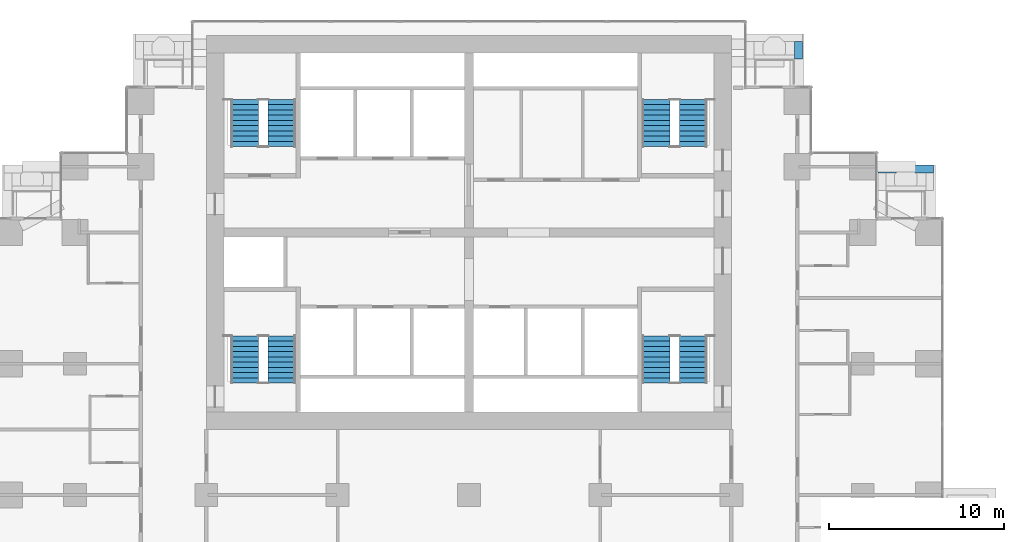
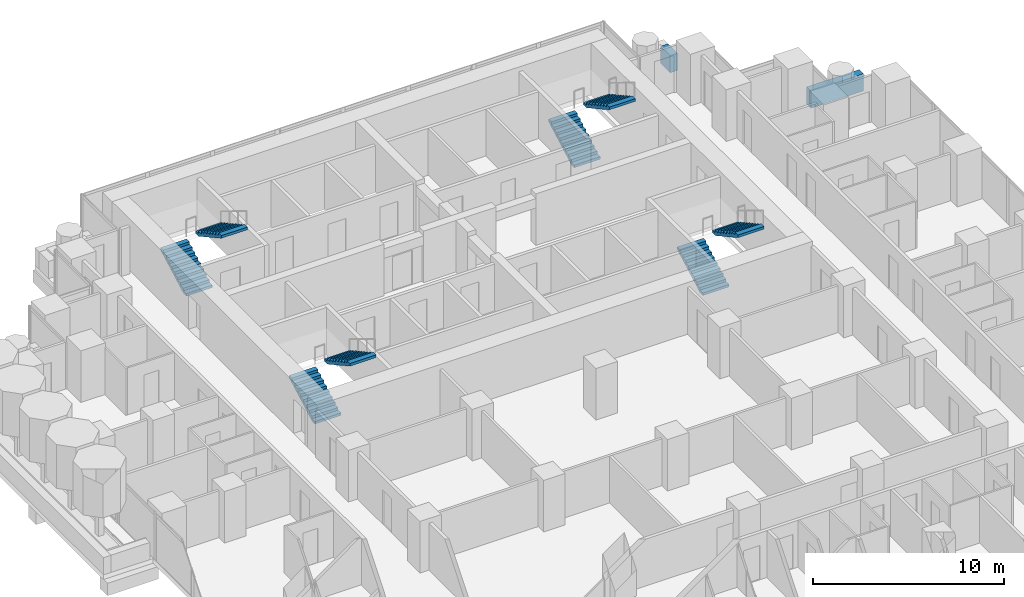
# One storey, part 16 of 19: 8 stair flights, 2 walls, 4 elements without a shape of their own.
"""IFC4 building model written with IfcOpenShell, lengths in metres."""

import ifcopenshell
import ifcopenshell.guid

model = None  # the IFC model being written
_history = None  # IfcOwnerHistory: only IFC2X3 demands one
_inside = {}  # id of a spatial element -> (the spatial element, [elements in it])
_under = {}  # id of a project, library or spatial element -> (it, [spatial elements below it])
_declared = {}  # id of a project -> (the project, [libraries it declares])
_typed = {}  # id of a type object -> (the type object, [elements of that type])
_made_of = {}  # id of a material, layer set ... -> (it, [elements and type objects made of it])


def new_model(schema):
    """Start an empty IFC model of exactly this schema.

    Asked for "IFC4X3", IfcOpenShell would pick the latest addendum, in which some entities
    have other attributes; the version numbers below select the first issue.
    IFC2X3 requires an IfcOwnerHistory on every rooted entity: one is made here for all.
    """
    global model, _history
    if schema == "IFC4X3":
        model = ifcopenshell.file(schema_version=(4, 3, 0, 0))
    else:
        model = ifcopenshell.file(schema=schema)
    _inside.clear()
    _under.clear()
    _declared.clear()
    _typed.clear()
    _made_of.clear()
    _history = None
    if model.schema == "IFC2X3":
        org = make("IfcOrganization", Name="unknown")
        user = make(
            "IfcPersonAndOrganization",
            ThePerson=make("IfcPerson", FamilyName="unknown"),
            TheOrganization=org,
        )
        app = make(
            "IfcApplication",
            ApplicationDeveloper=org,
            Version="unknown",
            ApplicationFullName="unknown",
            ApplicationIdentifier="unknown",
        )
        _history = make(
            "IfcOwnerHistory",
            OwningUser=user,
            OwningApplication=app,
            ChangeAction="ADDED",
            CreationDate=0,
        )
    return model


def make(cls, **values):
    """One entity of the class cls with the attributes given. An attribute that is None is left unset."""
    return model.create_entity(
        cls, **{name: value for name, value in values.items() if value is not None}
    )


def rooted(cls, **values):
    """An entity with a GlobalId (a new one), such as an element, a storey or a relation."""
    return make(cls, GlobalId=ifcopenshell.guid.new(), OwnerHistory=_history, **values)


def si_unit(unit_type, name, prefix=None):
    """IfcSIUnit, for example si_unit("LENGTHUNIT", "METRE", prefix="MILLI")."""
    return make("IfcSIUnit", UnitType=unit_type, Prefix=prefix, Name=name)


def assignment(units):
    """IfcUnitAssignment: the units of a project."""
    return None if units is None else make("IfcUnitAssignment", Units=units)


def point(xyz):
    """IfcCartesianPoint."""
    return None if xyz is None else make("IfcCartesianPoint", Coordinates=xyz)


def direction(xyz):
    """IfcDirection."""
    return None if xyz is None else make("IfcDirection", DirectionRatios=xyz)


def frame(location, z_axis=None, x_axis=None):
    """IfcAxis2Placement3D, a coordinate frame: its origin and axes. An axis left out is left unset."""
    return make(
        "IfcAxis2Placement3D",
        Location=point(location),
        Axis=direction(z_axis),
        RefDirection=direction(x_axis),
    )


def frame_2d(location, x_axis=None):
    """IfcAxis2Placement2D, a coordinate frame in the plane: its origin and x axis."""
    return make(
        "IfcAxis2Placement2D", Location=point(location), RefDirection=direction(x_axis)
    )


def origin():
    """The frame at (0, 0, 0) with its axes left unset."""
    return frame((0.0, 0.0, 0.0))


def place(relative_to, where):
    """IfcLocalPlacement: puts the frame where relative to a parent placement (None: the world)."""
    return make(
        "IfcLocalPlacement", PlacementRelTo=relative_to, RelativePlacement=where
    )


def context(
    kind, dimensions, precision=None, world=None, true_north=None, identifier=None
):
    """IfcGeometricRepresentationContext, for example the 3D "Model" context."""
    return make(
        "IfcGeometricRepresentationContext",
        ContextIdentifier=identifier,
        ContextType=kind,
        CoordinateSpaceDimension=dimensions,
        Precision=precision,
        WorldCoordinateSystem=world,
        TrueNorth=true_north,
    )


def subcontext(parent, identifier, kind, view, scale=None):
    """IfcGeometricRepresentationSubContext, for example "Body" below "Model"."""
    return make(
        "IfcGeometricRepresentationSubContext",
        ContextIdentifier=identifier,
        ContextType=kind,
        ParentContext=parent,
        TargetScale=scale,
        TargetView=view,
    )


def project(units=None, contexts=None):
    """IfcProject with its units and contexts."""
    return rooted(
        "IfcProject",
        Name="project",
        RepresentationContexts=contexts,
        UnitsInContext=assignment(units),
    )


def spatial(cls, under=None, at=None, **own):
    """A site, building, storey or space (cls), placed at a placement, below another one or the project."""
    s = rooted(cls, ObjectPlacement=at, **own)
    if under is not None:
        _under.setdefault(under.id(), (under, []))[1].append(s)
    return s


def polyline(points):
    """IfcPolyline through the points."""
    return make("IfcPolyline", Points=[point(p) for p in points])


def profile(cls, at=None, kind="AREA", **sizes):
    """A parametric profile (cls). Its sizes go by their IFC names, for example OverallWidth=200.0."""
    return make(cls, ProfileType=kind, Position=at, **sizes)


def rectangle(**sizes):
    """IfcRectangleProfileDef."""
    return profile("IfcRectangleProfileDef", **sizes)


def outline(outer, holes=None, kind="AREA"):
    """IfcArbitraryClosedProfileDef: a profile drawn as a closed curve; with holes, ...WithVoids."""
    if holes is None:
        return make("IfcArbitraryClosedProfileDef", ProfileType=kind, OuterCurve=outer)
    return make(
        "IfcArbitraryProfileDefWithVoids",
        ProfileType=kind,
        OuterCurve=outer,
        InnerCurves=holes,
    )


def extrude(swept, where, along, depth):
    """IfcExtrudedAreaSolid: the profile swept, set in the frame where, extruded along a direction by depth."""
    return make(
        "IfcExtrudedAreaSolid",
        SweptArea=swept,
        Position=where,
        ExtrudedDirection=direction(along),
        Depth=depth,
    )


def shape(context_of_items, identifier, shape_type, items):
    """IfcShapeRepresentation: the items that make up one representation, for example the "Body"."""
    return make(
        "IfcShapeRepresentation",
        ContextOfItems=context_of_items,
        RepresentationIdentifier=identifier,
        RepresentationType=shape_type,
        Items=items,
    )


def material(Name=None, Category=None):
    """IfcMaterial."""
    return make("IfcMaterial", Name=Name, Category=Category)


def layer(
    of_material, thickness, ventilated=None, Name=None, Category=None, Priority=None
):
    """IfcMaterialLayer: one layer of a wall or slab, of a material (None: an air gap)."""
    return make(
        "IfcMaterialLayer",
        Material=of_material,
        LayerThickness=thickness,
        IsVentilated=ventilated,
        Name=Name,
        Category=Category,
        Priority=Priority,
    )


def layer_set(layers, Name=None):
    """IfcMaterialLayerSet."""
    return make("IfcMaterialLayerSet", MaterialLayers=layers, LayerSetName=Name)


def made_of(thing, what):
    """Note that an element or type object is made of a material, layer set ...; save() writes the relation."""
    if what is not None:
        _made_of.setdefault(what.id(), (what, []))[1].append(thing)
    return thing


def type_object(cls, material=None, **own):
    """A type object (cls), such as IfcWallType, which elements share."""
    return made_of(rooted(cls, **own), material)


def element(
    cls,
    number,
    at=None,
    inside=None,
    cuts=None,
    type_object=None,
    material=None,
    context=None,
    identifier="Body",
    shape_type=None,
    held_by="IfcProductDefinitionShape",
    body=None,
    shapes=None,
    **own,
):
    """One element of the class cls, such as IfcWall. Its Tag is "e" and its number.

    at: its placement. inside: the storey or other place that contains it. cuts: it is an
    opening in that element (IfcRelVoidsElement). A single representation is given by context,
    identifier, shape_type and body (its items); several are given by shapes. held_by: the class
    of the entity that holds the representations. save() writes the other relations.
    """
    e = rooted(cls, Tag="e%d" % number, ObjectPlacement=at, **own)
    if body is not None:
        shapes = [shape(context, identifier, shape_type, body)]
    if shapes is not None:
        e.Representation = make(held_by, Representations=shapes)
    if inside is not None:
        _inside.setdefault(inside.id(), (inside, []))[1].append(e)
    if cuts is not None:
        rooted(
            "IfcRelVoidsElement", RelatingBuildingElement=cuts, RelatedOpeningElement=e
        )
    if type_object is not None:
        _typed.setdefault(type_object.id(), (type_object, []))[1].append(e)
    return made_of(e, material)


def aggregate(whole, parts):
    """IfcRelAggregates: a whole, such as a stair, and the parts it consists of."""
    return rooted("IfcRelAggregates", RelatingObject=whole, RelatedObjects=parts)


def save(model, path):
    """Write the relations noted so far, then the file.

    IfcRelAggregates (storeys below a building ...), IfcRelContainedInSpatialStructure (elements
    in a storey), IfcRelDefinesByType, IfcRelAssociatesMaterial and IfcRelDeclares: one each for
    every whole, place, type object, material and project.
    """
    for whole, parts in _under.values():
        aggregate(whole, parts)
    for where, things in _inside.values():
        rooted(
            "IfcRelContainedInSpatialStructure",
            RelatedElements=things,
            RelatingStructure=where,
        )
    for kind, things in _typed.values():
        rooted("IfcRelDefinesByType", RelatedObjects=things, RelatingType=kind)
    for what, things in _made_of.values():
        rooted("IfcRelAssociatesMaterial", RelatedObjects=things, RelatingMaterial=what)
    for by, libraries in _declared.values():
        rooted("IfcRelDeclares", RelatingContext=by, RelatedDefinitions=libraries)
    model.write(path)


model = new_model("IFC4")

# Units and contexts
model_context = context("Model", 3, precision=1e-05, world=origin(), true_north=direction((0.0, 1.0)))
body_context = subcontext(model_context, "Body", "Model", "MODEL_VIEW")
ifc_project = project(units=[si_unit("LENGTHUNIT", "METRE"), si_unit("AREAUNIT", "SQUARE_METRE"), si_unit("VOLUMEUNIT", "CUBIC_METRE"), si_unit("PLANEANGLEUNIT", "RADIAN"), si_unit("MASSUNIT", "GRAM", prefix="KILO")], contexts=[model_context])

# Site, building, storey
site_placement = place(None, origin())
site = spatial("IfcSite", under=ifc_project, at=site_placement, CompositionType="ELEMENT")
building_placement = place(site_placement, origin())
building = spatial("IfcBuilding", under=site, at=building_placement, Name="Pilkhan Gate Tower", CompositionType="ELEMENT")
storey_placement = place(building_placement, frame((0.0, 0.0, 69.199951171875)))
storey = spatial("IfcBuildingStorey", under=building, at=storey_placement, Name="L15", CompositionType="ELEMENT", Elevation=69.199951171875)

# Walls
ifc_material_1 = material(Name="Board-marked Concrete C40/50", Category="concrete")
ifc_layer = layer(ifc_material_1, 0.449951171875)
ifc_layer_set = layer_set([ifc_layer], Name="Balcony planter lip BL450")
wall_type = type_object("IfcWallType", Name="Balcony planter lip BL450", PredefinedType="USERDEFINED", material=ifc_layer_set)
wall_1_placement = place(storey_placement, frame((93.824951171875, 92.39990234375, 0.0), z_axis=(0.0, 0.0, 1.0), x_axis=(0.0, 1.0, 0.0)))
element("IfcWall", 1, at=wall_1_placement, inside=storey, type_object=wall_type, Name="Balcony planter L15 N", ObjectType="BALCONY PLANTER", PredefinedType="USERDEFINED", context=body_context, shape_type="SweptSolid", body=[
    extrude(rectangle(XDim=1.0, YDim=0.449951171875, at=frame_2d((0.5, 0.0))), origin(), (0.0, 0.0, 1.0), 1.10009765625),
])
wall_2_placement = place(storey_placement, frame((98.3701171875, 86.125, 0.0), z_axis=(0.0, 0.0, 1.0), x_axis=(1.0, 0.0, 0.0)))
element("IfcWall", 2, at=wall_2_placement, inside=storey, type_object=wall_type, Name="Balcony planter L15 N", ObjectType="BALCONY PLANTER", PredefinedType="USERDEFINED", context=body_context, shape_type="SweptSolid", body=[
    extrude(rectangle(XDim=3.179931640625, YDim=0.449951171875, at=frame_2d((1.58984375, 0.0))), origin(), (0.0, 0.0, 1.0), 1.10009765625),
])

# Stair, stair flights
ifc_material_2 = material(Name="Concrete C40/50 precast", Category="concrete")
stair_type_1 = type_object("IfcStairType", Name="Stair ST1 165x300", PredefinedType="HALF_TURN_STAIR", material=ifc_material_2)
stair_1_placement = place(storey_placement, origin())
stair_1 = element("IfcStair", 3, at=stair_1_placement, inside=storey, type_object=stair_type_1, Name="Stair ST1 L15", PredefinedType="HALF_TURN_STAIR")
stair_flight_type_1 = type_object("IfcStairFlightType", Name="Stair flight ST1 165x300x10", PredefinedType="STRAIGHT", material=ifc_material_2)
stair_flight_1_placement = place(storey_placement, frame((85.68994140625, 73.89990234375, 0.0), z_axis=(0.0, 0.0, 1.0), x_axis=(0.0, 1.0, 0.0)))
stair_flight_1 = element("IfcStairFlight", 4, at=stair_flight_1_placement, type_object=stair_flight_type_1, Name="ST1 flight 1", NumberOfRisers=10, NumberOfTreads=9, PredefinedType="STRAIGHT", RiserHeight=0.165, TreadLength=0.3, context=body_context, shape_type="SweptSolid", body=[
    extrude(outline(polyline([(0.0, 0.0), (0.0, 0.1650390625), (0.300048828125, 0.1650390625), (0.300048828125, 0.330078125), (0.60009765625, 0.330078125), (0.60009765625, 0.4951171875), (0.89990234375, 0.4951171875), (0.89990234375, 0.659912109375), (1.199951171875, 0.659912109375), (1.199951171875, 0.824951171875), (1.5, 0.824951171875), (1.5, 0.989990234375), (1.800048828125, 0.989990234375), (1.800048828125, 1.155029296875), (2.10009765625, 1.155029296875), (2.10009765625, 1.320068359375), (2.39990234375, 1.320068359375), (2.39990234375, 1.485107421875), (2.699951171875, 1.485107421875), (2.699951171875, 1.64990234375), (2.699951171875, 1.31396484375), (0.31103515625, 0.0), (0.0, 0.0)])), frame((0.0, 0.7900390625, 0.0), z_axis=(0.0, -1.0, 0.0), x_axis=(1.0, 0.0, 0.0)), (0.0, 0.0, 1.0), 1.580078125),
])
stair_flight_2_placement = place(storey_placement, frame((87.81005859375, 76.60009765625, 1.650146484375), z_axis=(0.0, 0.0, 1.0), x_axis=(0.0, -1.0, 0.0)))
stair_flight_2 = element("IfcStairFlight", 5, at=stair_flight_2_placement, type_object=stair_flight_type_1, Name="ST1 flight 2", NumberOfRisers=10, NumberOfTreads=9, PredefinedType="STRAIGHT", RiserHeight=0.165, TreadLength=0.3, context=body_context, shape_type="SweptSolid", body=[
    extrude(outline(polyline([(0.0, 0.0), (0.0, 0.1650390625), (0.300048828125, 0.1650390625), (0.300048828125, 0.330078125), (0.60009765625, 0.330078125), (0.60009765625, 0.4951171875), (0.89990234375, 0.4951171875), (0.89990234375, 0.659912109375), (1.199951171875, 0.659912109375), (1.199951171875, 0.824951171875), (1.5, 0.824951171875), (1.5, 0.989990234375), (1.800048828125, 0.989990234375), (1.800048828125, 1.155029296875), (2.10009765625, 1.155029296875), (2.10009765625, 1.320068359375), (2.39990234375, 1.320068359375), (2.39990234375, 1.485107421875), (2.699951171875, 1.485107421875), (2.699951171875, 1.64990234375), (2.699951171875, 1.31396484375), (0.31103515625, 0.0), (0.0, 0.0)])), frame((0.0, 0.7900390625, 0.0), z_axis=(0.0, -1.0, 0.0), x_axis=(1.0, 0.0, 0.0)), (0.0, 0.0, 1.0), 1.580078125),
])
aggregate(stair_1, [stair_flight_1, stair_flight_2])

stair_type_2 = type_object("IfcStairType", Name="Stair ST2 165x300", PredefinedType="HALF_TURN_STAIR", material=ifc_material_2)
stair_2_placement = place(storey_placement, origin())
stair_2 = element("IfcStair", 6, at=stair_2_placement, inside=storey, type_object=stair_type_2, Name="Stair ST2 L15", PredefinedType="HALF_TURN_STAIR")
stair_flight_type_2 = type_object("IfcStairFlightType", Name="Stair flight ST2 165x300x10", PredefinedType="STRAIGHT", material=ifc_material_2)
stair_flight_3_placement = place(storey_placement, frame((62.18994140625, 73.89990234375, 0.0), z_axis=(0.0, 0.0, 1.0), x_axis=(0.0, 1.0, 0.0)))
stair_flight_3 = element("IfcStairFlight", 7, at=stair_flight_3_placement, type_object=stair_flight_type_2, Name="ST2 flight 1", NumberOfRisers=10, NumberOfTreads=9, PredefinedType="STRAIGHT", RiserHeight=0.165, TreadLength=0.3, context=body_context, shape_type="SweptSolid", body=[
    extrude(outline(polyline([(0.0, 0.0), (0.0, 0.1650390625), (0.300048828125, 0.1650390625), (0.300048828125, 0.330078125), (0.60009765625, 0.330078125), (0.60009765625, 0.4951171875), (0.89990234375, 0.4951171875), (0.89990234375, 0.659912109375), (1.199951171875, 0.659912109375), (1.199951171875, 0.824951171875), (1.5, 0.824951171875), (1.5, 0.989990234375), (1.800048828125, 0.989990234375), (1.800048828125, 1.155029296875), (2.10009765625, 1.155029296875), (2.10009765625, 1.320068359375), (2.39990234375, 1.320068359375), (2.39990234375, 1.485107421875), (2.699951171875, 1.485107421875), (2.699951171875, 1.64990234375), (2.699951171875, 1.31396484375), (0.31103515625, 0.0), (0.0, 0.0)])), frame((0.0, 0.7900390625, 0.0), z_axis=(0.0, -1.0, 0.0), x_axis=(1.0, 0.0, 0.0)), (0.0, 0.0, 1.0), 1.580078125),
])
stair_flight_4_placement = place(storey_placement, frame((64.31005859375, 76.60009765625, 1.650146484375), z_axis=(0.0, 0.0, 1.0), x_axis=(0.0, -1.0, 0.0)))
stair_flight_4 = element("IfcStairFlight", 8, at=stair_flight_4_placement, type_object=stair_flight_type_2, Name="ST2 flight 2", NumberOfRisers=10, NumberOfTreads=9, PredefinedType="STRAIGHT", RiserHeight=0.165, TreadLength=0.3, context=body_context, shape_type="SweptSolid", body=[
    extrude(outline(polyline([(0.0, 0.0), (0.0, 0.1650390625), (0.300048828125, 0.1650390625), (0.300048828125, 0.330078125), (0.60009765625, 0.330078125), (0.60009765625, 0.4951171875), (0.89990234375, 0.4951171875), (0.89990234375, 0.659912109375), (1.199951171875, 0.659912109375), (1.199951171875, 0.824951171875), (1.5, 0.824951171875), (1.5, 0.989990234375), (1.800048828125, 0.989990234375), (1.800048828125, 1.155029296875), (2.10009765625, 1.155029296875), (2.10009765625, 1.320068359375), (2.39990234375, 1.320068359375), (2.39990234375, 1.485107421875), (2.699951171875, 1.485107421875), (2.699951171875, 1.64990234375), (2.699951171875, 1.31396484375), (0.31103515625, 0.0), (0.0, 0.0)])), frame((0.0, 0.7900390625, 0.0), z_axis=(0.0, -1.0, 0.0), x_axis=(1.0, 0.0, 0.0)), (0.0, 0.0, 1.0), 1.580078125),
])
aggregate(stair_2, [stair_flight_3, stair_flight_4])

stair_type_3 = type_object("IfcStairType", Name="Stair ST3 165x300", PredefinedType="HALF_TURN_STAIR", material=ifc_material_2)
stair_3_placement = place(storey_placement, origin())
stair_3 = element("IfcStair", 9, at=stair_3_placement, inside=storey, type_object=stair_type_3, Name="Stair ST3 L15", PredefinedType="HALF_TURN_STAIR")
stair_flight_type_3 = type_object("IfcStairFlightType", Name="Stair flight ST3 165x300x10", PredefinedType="STRAIGHT", material=ifc_material_2)
stair_flight_5_placement = place(storey_placement, frame((62.18994140625, 87.39990234375, 0.0), z_axis=(0.0, 0.0, 1.0), x_axis=(0.0, 1.0, 0.0)))
stair_flight_5 = element("IfcStairFlight", 10, at=stair_flight_5_placement, type_object=stair_flight_type_3, Name="ST3 flight 1", NumberOfRisers=10, NumberOfTreads=9, PredefinedType="STRAIGHT", RiserHeight=0.165, TreadLength=0.3, context=body_context, shape_type="SweptSolid", body=[
    extrude(outline(polyline([(0.0, 0.0), (0.0, 0.1650390625), (0.300048828125, 0.1650390625), (0.300048828125, 0.330078125), (0.60009765625, 0.330078125), (0.60009765625, 0.4951171875), (0.89990234375, 0.4951171875), (0.89990234375, 0.659912109375), (1.199951171875, 0.659912109375), (1.199951171875, 0.824951171875), (1.5, 0.824951171875), (1.5, 0.989990234375), (1.800048828125, 0.989990234375), (1.800048828125, 1.155029296875), (2.10009765625, 1.155029296875), (2.10009765625, 1.320068359375), (2.39990234375, 1.320068359375), (2.39990234375, 1.485107421875), (2.699951171875, 1.485107421875), (2.699951171875, 1.64990234375), (2.699951171875, 1.31396484375), (0.31103515625, 0.0), (0.0, 0.0)])), frame((0.0, 0.7900390625, 0.0), z_axis=(0.0, -1.0, 0.0), x_axis=(1.0, 0.0, 0.0)), (0.0, 0.0, 1.0), 1.580078125),
])
stair_flight_6_placement = place(storey_placement, frame((64.31005859375, 90.10009765625, 1.650146484375), z_axis=(0.0, 0.0, 1.0), x_axis=(0.0, -1.0, 0.0)))
stair_flight_6 = element("IfcStairFlight", 11, at=stair_flight_6_placement, type_object=stair_flight_type_3, Name="ST3 flight 2", NumberOfRisers=10, NumberOfTreads=9, PredefinedType="STRAIGHT", RiserHeight=0.165, TreadLength=0.3, context=body_context, shape_type="SweptSolid", body=[
    extrude(outline(polyline([(0.0, 0.0), (0.0, 0.1650390625), (0.300048828125, 0.1650390625), (0.300048828125, 0.330078125), (0.60009765625, 0.330078125), (0.60009765625, 0.4951171875), (0.89990234375, 0.4951171875), (0.89990234375, 0.659912109375), (1.199951171875, 0.659912109375), (1.199951171875, 0.824951171875), (1.5, 0.824951171875), (1.5, 0.989990234375), (1.800048828125, 0.989990234375), (1.800048828125, 1.155029296875), (2.10009765625, 1.155029296875), (2.10009765625, 1.320068359375), (2.39990234375, 1.320068359375), (2.39990234375, 1.485107421875), (2.699951171875, 1.485107421875), (2.699951171875, 1.64990234375), (2.699951171875, 1.31396484375), (0.31103515625, 0.0), (0.0, 0.0)])), frame((0.0, 0.7900390625, 0.0), z_axis=(0.0, -1.0, 0.0), x_axis=(1.0, 0.0, 0.0)), (0.0, 0.0, 1.0), 1.580078125),
])
aggregate(stair_3, [stair_flight_5, stair_flight_6])

stair_type_4 = type_object("IfcStairType", Name="Stair ST4 165x300", PredefinedType="HALF_TURN_STAIR", material=ifc_material_2)
stair_4_placement = place(storey_placement, origin())
stair_4 = element("IfcStair", 12, at=stair_4_placement, inside=storey, type_object=stair_type_4, Name="Stair ST4 L15", PredefinedType="HALF_TURN_STAIR")
stair_flight_type_4 = type_object("IfcStairFlightType", Name="Stair flight ST4 165x300x10", PredefinedType="STRAIGHT", material=ifc_material_2)
stair_flight_7_placement = place(storey_placement, frame((85.68994140625, 87.39990234375, 0.0), z_axis=(0.0, 0.0, 1.0), x_axis=(0.0, 1.0, 0.0)))
stair_flight_7 = element("IfcStairFlight", 13, at=stair_flight_7_placement, type_object=stair_flight_type_4, Name="ST4 flight 1", NumberOfRisers=10, NumberOfTreads=9, PredefinedType="STRAIGHT", RiserHeight=0.165, TreadLength=0.3, context=body_context, shape_type="SweptSolid", body=[
    extrude(outline(polyline([(0.0, 0.0), (0.0, 0.1650390625), (0.300048828125, 0.1650390625), (0.300048828125, 0.330078125), (0.60009765625, 0.330078125), (0.60009765625, 0.4951171875), (0.89990234375, 0.4951171875), (0.89990234375, 0.659912109375), (1.199951171875, 0.659912109375), (1.199951171875, 0.824951171875), (1.5, 0.824951171875), (1.5, 0.989990234375), (1.800048828125, 0.989990234375), (1.800048828125, 1.155029296875), (2.10009765625, 1.155029296875), (2.10009765625, 1.320068359375), (2.39990234375, 1.320068359375), (2.39990234375, 1.485107421875), (2.699951171875, 1.485107421875), (2.699951171875, 1.64990234375), (2.699951171875, 1.31396484375), (0.31103515625, 0.0), (0.0, 0.0)])), frame((0.0, 0.7900390625, 0.0), z_axis=(0.0, -1.0, 0.0), x_axis=(1.0, 0.0, 0.0)), (0.0, 0.0, 1.0), 1.580078125),
])
stair_flight_8_placement = place(storey_placement, frame((87.81005859375, 90.10009765625, 1.650146484375), z_axis=(0.0, 0.0, 1.0), x_axis=(0.0, -1.0, 0.0)))
stair_flight_8 = element("IfcStairFlight", 14, at=stair_flight_8_placement, type_object=stair_flight_type_4, Name="ST4 flight 2", NumberOfRisers=10, NumberOfTreads=9, PredefinedType="STRAIGHT", RiserHeight=0.165, TreadLength=0.3, context=body_context, shape_type="SweptSolid", body=[
    extrude(outline(polyline([(0.0, 0.0), (0.0, 0.1650390625), (0.300048828125, 0.1650390625), (0.300048828125, 0.330078125), (0.60009765625, 0.330078125), (0.60009765625, 0.4951171875), (0.89990234375, 0.4951171875), (0.89990234375, 0.659912109375), (1.199951171875, 0.659912109375), (1.199951171875, 0.824951171875), (1.5, 0.824951171875), (1.5, 0.989990234375), (1.800048828125, 0.989990234375), (1.800048828125, 1.155029296875), (2.10009765625, 1.155029296875), (2.10009765625, 1.320068359375), (2.39990234375, 1.320068359375), (2.39990234375, 1.485107421875), (2.699951171875, 1.485107421875), (2.699951171875, 1.64990234375), (2.699951171875, 1.31396484375), (0.31103515625, 0.0), (0.0, 0.0)])), frame((0.0, 0.7900390625, 0.0), z_axis=(0.0, -1.0, 0.0), x_axis=(1.0, 0.0, 0.0)), (0.0, 0.0, 1.0), 1.580078125),
])
aggregate(stair_4, [stair_flight_7, stair_flight_8])

save(model, "model.ifc")
